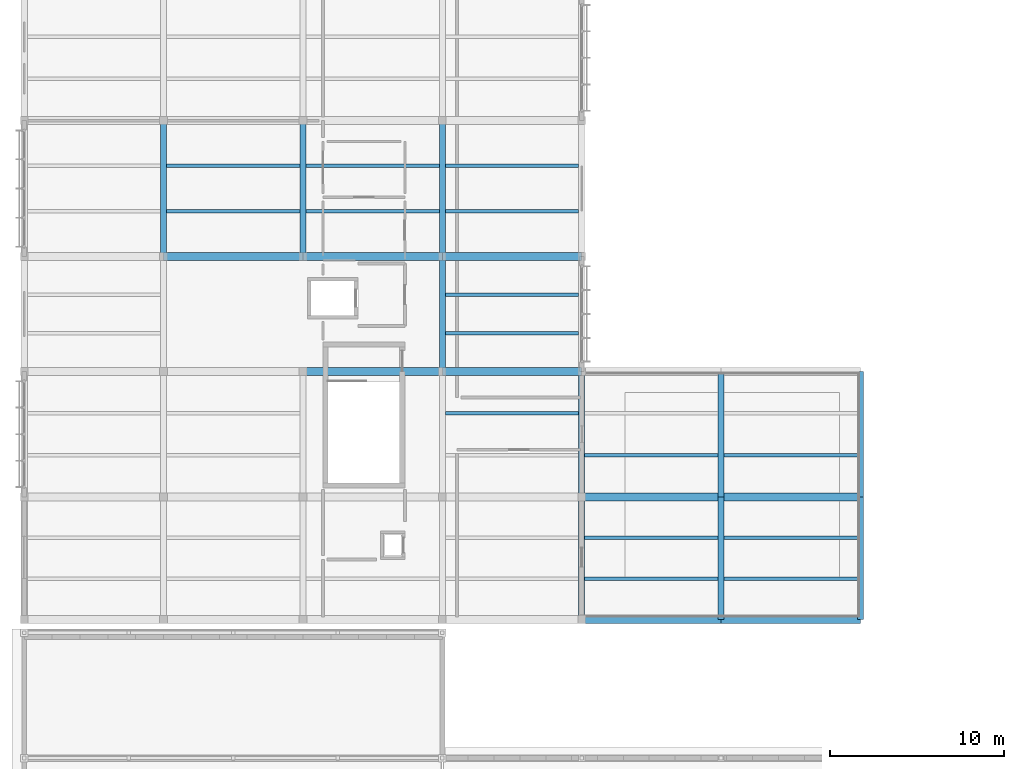
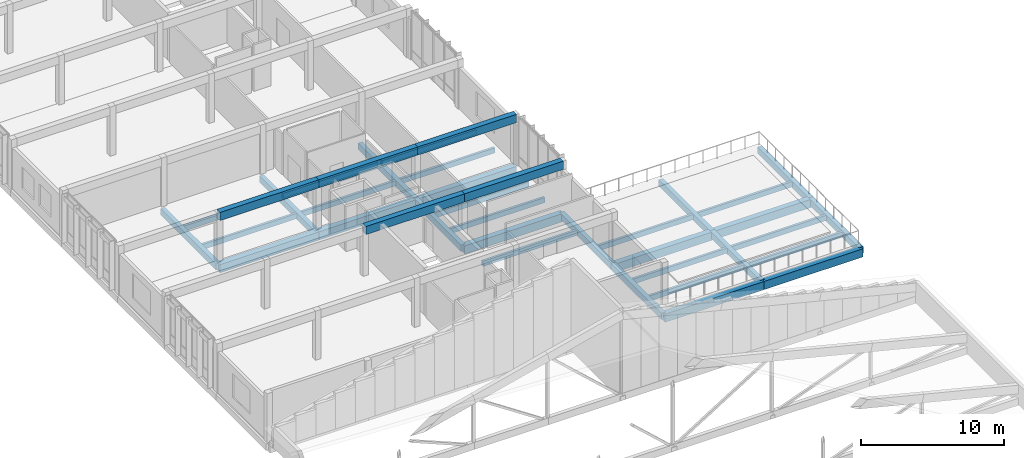
# One storey, part 12 of 107: 38 beams.
"""IFC4 building model written with IfcOpenShell, lengths in metres."""

from ifc_helpers import new_model, si_unit, direction, frame, origin, origin_2d, place, context, subcontext, project, spatial, rectangle, extrude, material, material_profile, profile_set, type_object, element, save


model = new_model("IFC4")

# Units and contexts
model_context = context("Model", 3, precision=1e-05, world=origin(), true_north=direction((0.0, 1.0)))
body_context = subcontext(model_context, "Body", "Model", "MODEL_VIEW")
ifc_project = project(units=[si_unit("LENGTHUNIT", "METRE"), si_unit("AREAUNIT", "SQUARE_METRE"), si_unit("VOLUMEUNIT", "CUBIC_METRE"), si_unit("PLANEANGLEUNIT", "RADIAN"), si_unit("MASSUNIT", "GRAM", prefix="KILO")], contexts=[model_context])

# Site, building, storey
site_placement = place(None, origin())
site = spatial("IfcSite", under=ifc_project, at=site_placement, CompositionType="ELEMENT")
building_placement = place(site_placement, origin())
building = spatial("IfcBuilding", under=site, at=building_placement, Name="Chiffa Square Polytechnic", CompositionType="ELEMENT")
storey_placement = place(building_placement, frame((0.0, 0.0, 13.800048828125)))
storey = spatial("IfcBuildingStorey", under=building, at=storey_placement, Name="L03", CompositionType="ELEMENT", Elevation=13.800048828125)

# Beams
ifc_material_1 = material(Name="Concrete C35/45", Category="concrete")
ifc_material_profile_1 = material_profile(ifc_material_1, rectangle(XDim=0.35009765625, YDim=0.550048828125, at=origin_2d()), Name="RC 350x550")
ifc_profile_set_1 = profile_set([ifc_material_profile_1], Name="Concrete C35/45")
beam_type_1 = type_object("IfcBeamType", Name="BM-RC-350X550", PredefinedType="BEAM", material=ifc_profile_set_1)
for number, where, z_axis, x_axis, name in (
    (1, (8.0, 57.60009765625, -0.53515625), (0.0, 1.0, 0.0), (-1.0, 0.0, 0.0), "Primary floor girder BM-V6-L03-Y-0080-0576"),
    (2, (16.0, 57.60009765625, -0.53515625), (0.0, 1.0, 0.0), (-1.0, 0.0, 0.0), "Primary floor girder BM-V6-L03-Y-0160-0576"),
):
    element("IfcBeam", number, at=place(storey_placement, frame(where, z_axis=z_axis, x_axis=x_axis)), inside=storey, type_object=beam_type_1, Name=name, PredefinedType="BEAM", context=body_context, shape_type="SweptSolid", body=[
        extrude(rectangle(XDim=0.35009765625, YDim=0.550048828125, at=origin_2d()), origin(), (0.0, 0.0, 1.0), 7.7998046875),
    ])
beam_1_placement = place(storey_placement, frame((24.0, 51.0, -0.53515625), z_axis=(0.0, 1.0, 0.0), x_axis=(-1.0, 0.0, 0.0)))
element("IfcBeam", 3, at=beam_1_placement, inside=storey, type_object=beam_type_1, Name="Primary floor girder BM-V6-L03-Y-0240-0510", PredefinedType="BEAM", context=body_context, shape_type="SweptSolid", body=[
    extrude(rectangle(XDim=0.35009765625, YDim=0.550048828125, at=origin_2d()), origin(), (0.0, 0.0, 1.0), 6.60009765625),
])
beam_2_placement = place(storey_placement, frame((24.0, 57.60009765625, -0.53515625), z_axis=(0.0, 1.0, 0.0), x_axis=(-1.0, 0.0, 0.0)))
element("IfcBeam", 4, at=beam_2_placement, inside=storey, type_object=beam_type_1, Name="Primary floor girder BM-V6-L03-Y-0240-0576", PredefinedType="BEAM", context=body_context, shape_type="SweptSolid", body=[
    extrude(rectangle(XDim=0.35009765625, YDim=0.550048828125, at=origin_2d()), origin(), (0.0, 0.0, 1.0), 7.7998046875),
])
beam_3_placement = place(storey_placement, frame((32.0, 36.75, -0.53515625), z_axis=(0.0, 1.0, 0.0), x_axis=(-1.0, 0.0, 0.0)))
element("IfcBeam", 5, at=beam_3_placement, inside=storey, type_object=beam_type_1, Name="Primary floor girder BM-V6-L03-Y-0320-0368", PredefinedType="BEAM", context=body_context, shape_type="SweptSolid", body=[
    extrude(rectangle(XDim=0.35009765625, YDim=0.550048828125, at=origin_2d()), origin(), (0.0, 0.0, 1.0), 7.050048828125),
])
beam_4_placement = place(storey_placement, frame((32.0, 43.800048828125, -0.53515625), z_axis=(0.0, 1.0, 0.0), x_axis=(-1.0, 0.0, 0.0)))
element("IfcBeam", 6, at=beam_4_placement, inside=storey, type_object=beam_type_1, Name="Primary floor girder BM-V6-L03-Y-0320-0438", PredefinedType="BEAM", context=body_context, shape_type="SweptSolid", body=[
    extrude(rectangle(XDim=0.35009765625, YDim=0.550048828125, at=origin_2d()), origin(), (0.0, 0.0, 1.0), 7.199951171875),
])
beam_5_placement = place(storey_placement, frame((40.0, 36.75, -0.53515625), z_axis=(0.0, 1.0, 0.0), x_axis=(-1.0, 0.0, 0.0)))
element("IfcBeam", 7, at=beam_5_placement, inside=storey, type_object=beam_type_1, Name="Primary floor girder BM-V6-L03-Y-0400-0368", PredefinedType="BEAM", context=body_context, shape_type="SweptSolid", body=[
    extrude(rectangle(XDim=0.35009765625, YDim=0.550048828125, at=origin_2d()), origin(), (0.0, 0.0, 1.0), 7.050048828125),
])
beam_6_placement = place(storey_placement, frame((40.0, 43.800048828125, -0.53515625), z_axis=(0.0, 1.0, 0.0), x_axis=(-1.0, 0.0, 0.0)))
element("IfcBeam", 8, at=beam_6_placement, inside=storey, type_object=beam_type_1, Name="Primary floor girder BM-V6-L03-Y-0400-0438", PredefinedType="BEAM", context=body_context, shape_type="SweptSolid", body=[
    extrude(rectangle(XDim=0.35009765625, YDim=0.550048828125, at=origin_2d()), origin(), (0.0, 0.0, 1.0), 7.199951171875),
])
beam_7_placement = place(storey_placement, frame((48.0, 36.75, -0.53515625), z_axis=(0.0, 1.0, 0.0), x_axis=(-1.0, 0.0, 0.0)))
element("IfcBeam", 9, at=beam_7_placement, inside=storey, type_object=beam_type_1, Name="Primary floor girder BM-V6-L03-Y-0480-0368", PredefinedType="BEAM", context=body_context, shape_type="SweptSolid", body=[
    extrude(rectangle(XDim=0.35009765625, YDim=0.550048828125, at=origin_2d()), origin(), (0.0, 0.0, 1.0), 7.050048828125),
])
beam_8_placement = place(storey_placement, frame((48.0, 43.800048828125, -0.53515625), z_axis=(0.0, 1.0, 0.0), x_axis=(-1.0, 0.0, 0.0)))
element("IfcBeam", 10, at=beam_8_placement, inside=storey, type_object=beam_type_1, Name="Primary floor girder BM-V6-L03-Y-0480-0438", PredefinedType="BEAM", context=body_context, shape_type="SweptSolid", body=[
    extrude(rectangle(XDim=0.35009765625, YDim=0.550048828125, at=origin_2d()), origin(), (0.0, 0.0, 1.0), 7.199951171875),
])
ifc_material_profile_2 = material_profile(ifc_material_1, rectangle(XDim=0.449951171875, YDim=0.699951171875, at=origin_2d()), Name="RC 450x700")
ifc_profile_set_2 = profile_set([ifc_material_profile_2], Name="Concrete C35/45")
beam_type_2 = type_object("IfcBeamType", Name="BM-RC-450X700", PredefinedType="BEAM", material=ifc_profile_set_2)
for number, where, z_axis, x_axis, name in (
    (11, (32.0, 36.75, -0.610107421875), (1.0, 0.0, 0.0), (0.0, 1.0, 0.0), "Primary floor girder BM-V6-L03-X-0320-0368"),
    (12, (40.0, 36.75, -0.610107421875), (1.0, 0.0, 0.0), (0.0, 1.0, 0.0), "Primary floor girder BM-V6-L03-X-0400-0368"),
    (13, (32.0, 43.800048828125, -0.610107421875), (1.0, 0.0, 0.0), (0.0, 1.0, 0.0), "Primary floor girder BM-V6-L03-X-0320-0438"),
    (14, (40.0, 43.800048828125, -0.610107421875), (1.0, 0.0, 0.0), (0.0, 1.0, 0.0), "Primary floor girder BM-V6-L03-X-0400-0438"),
    (15, (24.0, 51.0, -0.610107421875), (1.0, 0.0, 0.0), (0.0, 1.0, 0.0), "Primary floor girder BM-V6-L03-X-0240-0510"),
    (16, (8.0, 57.60009765625, -0.610107421875), (1.0, 0.0, 0.0), (0.0, 1.0, 0.0), "Primary floor girder BM-V6-L03-X-0080-0576"),
    (17, (16.0, 57.60009765625, -0.610107421875), (1.0, 0.0, 0.0), (0.0, 1.0, 0.0), "Primary floor girder BM-V6-L03-X-0160-0576"),
    (18, (24.0, 57.60009765625, -0.610107421875), (1.0, 0.0, 0.0), (0.0, 1.0, 0.0), "Primary floor girder BM-V6-L03-X-0240-0576"),
    (19, (16.0, 51.0, 3.849853515625), (1.0, 0.0, 0.0), (0.0, 1.0, 0.0), "Sawtooth monitor sill beam BM-V6-SAWTIE-Y2-3"),
    (20, (24.0, 51.0, 3.849853515625), (1.0, 0.0, 0.0), (0.0, 1.0, 0.0), "Sawtooth monitor sill beam BM-V6-SAWTIE-Y2-4"),
    (21, (8.0, 57.60009765625, 3.849853515625), (1.0, 0.0, 0.0), (0.0, 1.0, 0.0), "Sawtooth monitor sill beam BM-V6-SAWTIE-Y3-2"),
    (22, (16.0, 57.60009765625, 3.849853515625), (1.0, 0.0, 0.0), (0.0, 1.0, 0.0), "Sawtooth monitor sill beam BM-V6-SAWTIE-Y3-3"),
    (23, (24.0, 57.60009765625, 3.849853515625), (1.0, 0.0, 0.0), (0.0, 1.0, 0.0), "Sawtooth monitor sill beam BM-V6-SAWTIE-Y3-4"),
):
    element("IfcBeam", number, at=place(storey_placement, frame(where, z_axis=z_axis, x_axis=x_axis)), inside=storey, type_object=beam_type_2, Name=name, PredefinedType="BEAM", context=body_context, shape_type="SweptSolid", body=[
        extrude(rectangle(XDim=0.449951171875, YDim=0.699951171875, at=origin_2d()), origin(), (0.0, 0.0, 1.0), 8.0),
    ])
ifc_material_2 = material(Name="Glulam GL28h", Category="wood")
ifc_material_profile_3 = material_profile(ifc_material_2, rectangle(XDim=0.199951171875, YDim=0.43994140625, at=origin_2d()), Name="GL28h 200x440")
ifc_profile_set_3 = profile_set([ifc_material_profile_3], Name="Glulam GL28h")
beam_type_3 = type_object("IfcBeamType", Name="JST-GL-200X440", PredefinedType="JOIST", material=ifc_profile_set_3)
for number, where, z_axis, x_axis, name in (
    (24, (8.173095703125, 60.199951171875, -0.47998046875), (1.0, 0.0, 0.0), (0.0, 1.0, 0.0), "Secondary floor joist JST-V6-L03-0080-0602"),
    (25, (8.173095703125, 62.800048828125, -0.47998046875), (1.0, 0.0, 0.0), (0.0, 1.0, 0.0), "Secondary floor joist JST-V6-L03-0080-0628"),
    (26, (16.173095703125, 60.199951171875, -0.47998046875), (1.0, 0.0, 0.0), (0.0, 1.0, 0.0), "Secondary floor joist JST-V6-L03-0160-0602"),
    (27, (16.173095703125, 62.800048828125, -0.47998046875), (1.0, 0.0, 0.0), (0.0, 1.0, 0.0), "Secondary floor joist JST-V6-L03-0160-0628"),
    (28, (24.173095703125, 48.60009765625, -0.47998046875), (1.0, 0.0, 0.0), (0.0, 1.0, 0.0), "Secondary floor joist JST-V6-L03-0240-0486"),
    (29, (24.173095703125, 53.199951171875, -0.47998046875), (1.0, 0.0, 0.0), (0.0, 1.0, 0.0), "Secondary floor joist JST-V6-L03-0240-0532"),
    (30, (24.173095703125, 55.39990234375, -0.47998046875), (1.0, 0.0, 0.0), (0.0, 1.0, 0.0), "Secondary floor joist JST-V6-L03-0240-0554"),
    (31, (24.173095703125, 60.199951171875, -0.47998046875), (1.0, 0.0, 0.0), (0.0, 1.0, 0.0), "Secondary floor joist JST-V6-L03-0240-0602"),
    (32, (24.173095703125, 62.800048828125, -0.47998046875), (1.0, 0.0, 0.0), (0.0, 1.0, 0.0), "Secondary floor joist JST-V6-L03-0240-0628"),
    (33, (32.173095703125, 39.10009765625, -0.47998046875), (1.0, 0.0, 0.0), (0.0, 1.0, 0.0), "Secondary floor joist JST-V6-L03-0320-0391"),
    (34, (32.173095703125, 41.449951171875, -0.47998046875), (1.0, 0.0, 0.0), (0.0, 1.0, 0.0), "Secondary floor joist JST-V6-L03-0320-0414"),
    (35, (32.173095703125, 46.199951171875, -0.47998046875), (1.0, 0.0, 0.0), (0.0, 1.0, 0.0), "Secondary floor joist JST-V6-L03-0320-0462"),
    (36, (40.173095703125, 39.10009765625, -0.47998046875), (1.0, 0.0, 0.0), (0.0, 1.0, 0.0), "Secondary floor joist JST-V6-L03-0400-0391"),
    (37, (40.173095703125, 41.449951171875, -0.47998046875), (1.0, 0.0, 0.0), (0.0, 1.0, 0.0), "Secondary floor joist JST-V6-L03-0400-0414"),
    (38, (40.173095703125, 46.199951171875, -0.47998046875), (1.0, 0.0, 0.0), (0.0, 1.0, 0.0), "Secondary floor joist JST-V6-L03-0400-0462"),
):
    element("IfcBeam", number, at=place(storey_placement, frame(where, z_axis=z_axis, x_axis=x_axis)), inside=storey, type_object=beam_type_3, Name=name, PredefinedType="JOIST", context=body_context, shape_type="SweptSolid", body=[
        extrude(rectangle(XDim=0.199951171875, YDim=0.43994140625, at=origin_2d()), origin(), (0.0, 0.0, 1.0), 7.65380859375),
    ])

save(model, "model.ifc")
